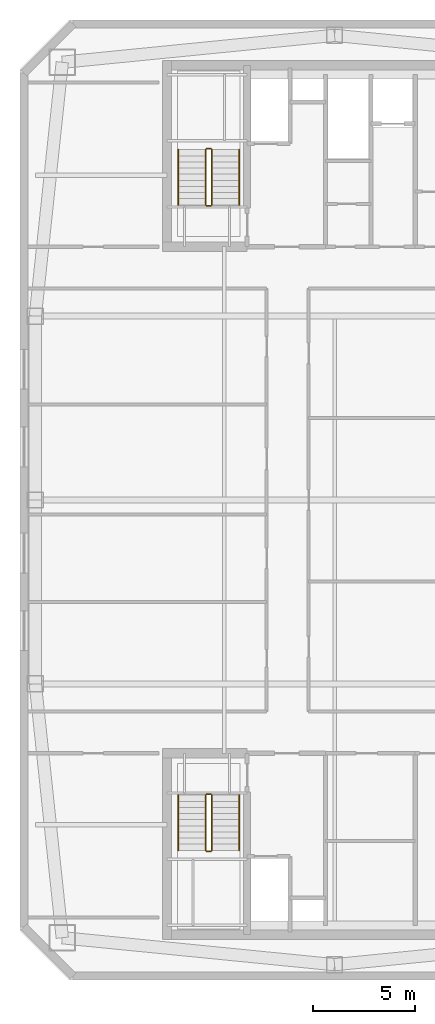
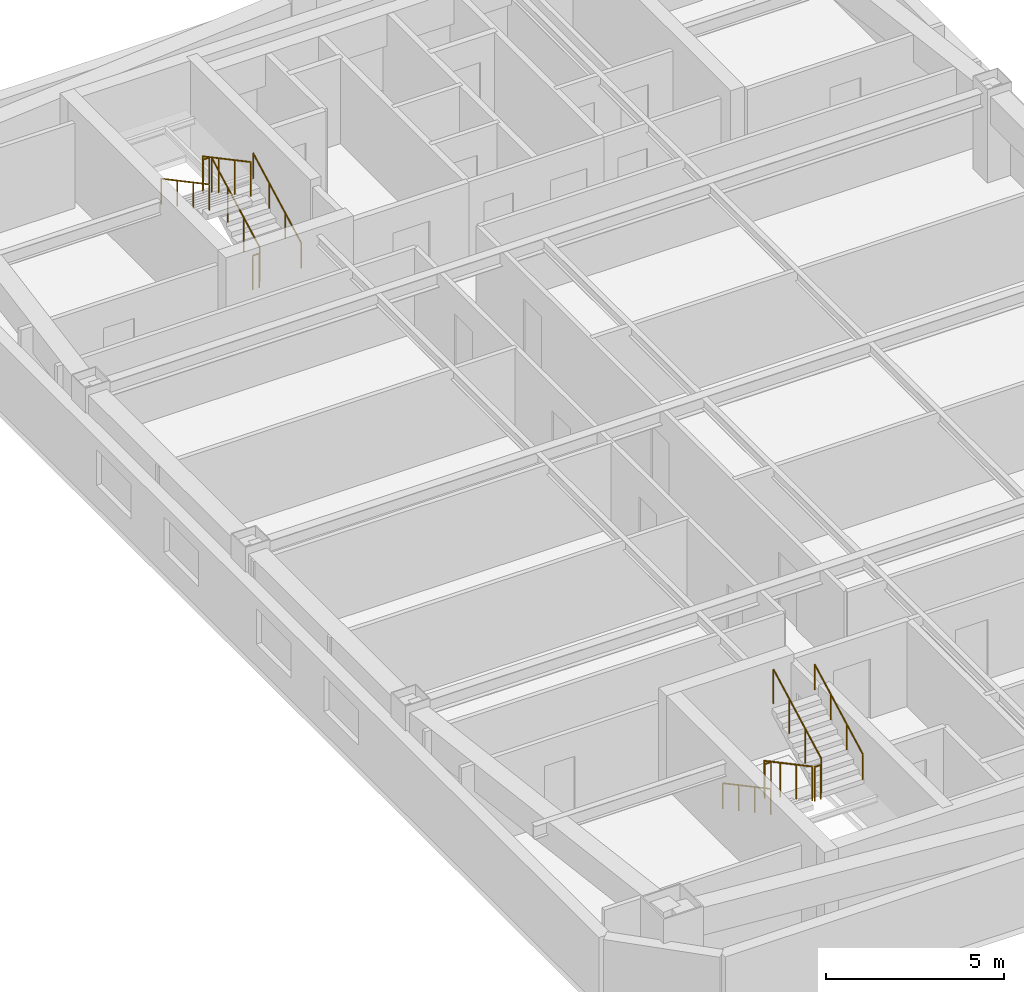
# One storey, part 5 of 5: 12 railings.
"""IFC4 building model written with IfcOpenShell, lengths in metres."""

from ifc_helpers import new_model, si_unit, direction, frame, origin, origin_2d, place, context, subcontext, project, spatial, circle, extrude, material, type_object, element, save


model = new_model("IFC4")

# Units and contexts
model_context = context("Model", 3, precision=1e-05, world=origin(), true_north=direction((0.0, 1.0)))
body_context = subcontext(model_context, "Body", "Model", "MODEL_VIEW")
ifc_project = project(units=[si_unit("LENGTHUNIT", "METRE"), si_unit("AREAUNIT", "SQUARE_METRE"), si_unit("VOLUMEUNIT", "CUBIC_METRE"), si_unit("PLANEANGLEUNIT", "RADIAN"), si_unit("MASSUNIT", "GRAM", prefix="KILO")], contexts=[model_context])

# Site, building, storey
site_placement = place(None, origin())
site = spatial("IfcSite", under=ifc_project, at=site_placement, CompositionType="ELEMENT")
building_placement = place(site_placement, origin())
building = spatial("IfcBuilding", under=site, at=building_placement, Name="Qiaolan Cultural Towers", CompositionType="ELEMENT")
storey_placement = place(building_placement, frame((0.0, 0.0, 272.800048828125)))
storey = spatial("IfcBuildingStorey", under=building, at=storey_placement, Name="L75", CompositionType="ELEMENT", Elevation=272.800048828125)

# Railings
ifc_material_1 = material(Name="Galvanized Painted Steel Stair Guardrail", Category="steel")
railing_type_1 = type_object("IfcRailingType", Name="RL-STAIR-GRD", PredefinedType="GUARDRAIL", material=ifc_material_1)
railing_1_placement = place(storey_placement, frame((23.68994140625, 19.550048828125, 0.159912109375)))
element("IfcRailing", 1, at=railing_1_placement, inside=storey, type_object=railing_type_1, Name="L75 ST-W1 stair guard 1", PredefinedType="GUARDRAIL", context=body_context, shape_type="SweptSolid", body=[
    extrude(circle(Radius=0.02392578125, at=origin_2d()), frame((0.0, 0.0, 1.17578125), z_axis=(0.0, -0.882357358376, 0.470579952952), x_axis=(1.0, 0.0, 0.0)), (0.0, 0.0, 1.0), 3.059814453125),
    extrude(circle(Radius=0.02099609375, at=origin_2d()), origin(), (0.0, 0.0, 1.0), 1.15185546875),
    extrude(circle(Radius=0.02099609375, at=origin_2d()), frame((0.0, -0.89990234375, 0.47998046875)), (0.0, 0.0, 1.0), 1.15185546875),
    extrude(circle(Radius=0.02099609375, at=origin_2d()), frame((0.0, -1.800048828125, 0.9599609375)), (0.0, 0.0, 1.0), 1.15185546875),
    extrude(circle(Radius=0.02099609375, at=origin_2d()), frame((0.0, -2.699951171875, 1.43994140625)), (0.0, 0.0, 1.0), 1.15185546875),
])
railing_2_placement = place(storey_placement, frame((23.739990234375, 16.800048828125, 1.599853515625)))
element("IfcRailing", 2, at=railing_2_placement, inside=storey, type_object=railing_type_1, Name="L75 ST-W1 stair guard 2", PredefinedType="GUARDRAIL", context=body_context, shape_type="SweptSolid", body=[
    extrude(circle(Radius=0.02392578125, at=origin_2d()), frame((0.0, 0.0, 1.17578125), z_axis=(1.0, 0.0, 0.0), x_axis=(0.0, 1.0, 0.0)), (0.0, 0.0, 1.0), 0.199951171875),
    extrude(circle(Radius=0.02099609375, at=origin_2d()), origin(), (0.0, 0.0, 1.0), 1.15185546875),
    extrude(circle(Radius=0.02099609375, at=origin_2d()), frame((0.199951171875, 0.0, 0.0)), (0.0, 0.0, 1.0), 1.15185546875),
])
railing_3_placement = place(storey_placement, frame((23.989990234375, 16.85009765625, 1.760009765625)))
element("IfcRailing", 3, at=railing_3_placement, inside=storey, type_object=railing_type_1, Name="L75 ST-W1 stair guard 3", PredefinedType="GUARDRAIL", context=body_context, shape_type="SweptSolid", body=[
    extrude(circle(Radius=0.02392578125, at=origin_2d()), frame((0.0, 0.0, 1.17578125), z_axis=(0.0, 0.882357358376, 0.470579952952), x_axis=(-1.0, 0.0, 0.0)), (0.0, 0.0, 1.0), 3.059814453125),
    extrude(circle(Radius=0.02099609375, at=origin_2d()), origin(), (0.0, 0.0, 1.0), 1.15185546875),
    extrude(circle(Radius=0.02099609375, at=origin_2d()), frame((0.0, 0.89990234375, 0.47998046875)), (0.0, 0.0, 1.0), 1.15185546875),
    extrude(circle(Radius=0.02099609375, at=origin_2d()), frame((0.0, 1.800048828125, 0.9599609375)), (0.0, 0.0, 1.0), 1.15185546875),
    extrude(circle(Radius=0.02099609375, at=origin_2d()), frame((0.0, 2.699951171875, 1.43994140625)), (0.0, 0.0, 1.0), 1.15185546875),
])
railing_4_placement = place(storey_placement, frame((23.739990234375, 19.60009765625, 0.0)))
element("IfcRailing", 4, at=railing_4_placement, inside=storey, type_object=railing_type_1, Name="L75 ST-W1 stair guard 4", PredefinedType="GUARDRAIL", context=body_context, shape_type="SweptSolid", body=[
    extrude(circle(Radius=0.02392578125, at=origin_2d()), frame((0.0, 0.0, 1.17578125), z_axis=(1.0, 0.0, 0.0), x_axis=(0.0, 1.0, 0.0)), (0.0, 0.0, 1.0), 0.199951171875),
    extrude(circle(Radius=0.02099609375, at=origin_2d()), origin(), (0.0, 0.0, 1.0), 1.15185546875),
    extrude(circle(Radius=0.02099609375, at=origin_2d()), frame((0.199951171875, 0.0, 0.0)), (0.0, 0.0, 1.0), 1.15185546875),
])
railing_5_placement = place(storey_placement, frame((23.989990234375, 48.449951171875, 0.159912109375)))
element("IfcRailing", 5, at=railing_5_placement, inside=storey, type_object=railing_type_1, Name="L75 ST-W2 stair guard 1", PredefinedType="GUARDRAIL", context=body_context, shape_type="SweptSolid", body=[
    extrude(circle(Radius=0.02392578125, at=origin_2d()), frame((0.0, 0.0, 1.17578125), z_axis=(0.0, 0.882357358376, 0.470579952952), x_axis=(-1.0, 0.0, 0.0)), (0.0, 0.0, 1.0), 3.059814453125),
    extrude(circle(Radius=0.02099609375, at=origin_2d()), origin(), (0.0, 0.0, 1.0), 1.15185546875),
    extrude(circle(Radius=0.02099609375, at=origin_2d()), frame((0.0, 0.89990234375, 0.47998046875)), (0.0, 0.0, 1.0), 1.15185546875),
    extrude(circle(Radius=0.02099609375, at=origin_2d()), frame((0.0, 1.800048828125, 0.9599609375)), (0.0, 0.0, 1.0), 1.15185546875),
    extrude(circle(Radius=0.02099609375, at=origin_2d()), frame((0.0, 2.699951171875, 1.43994140625)), (0.0, 0.0, 1.0), 1.15185546875),
])
railing_6_placement = place(storey_placement, frame((23.93994140625, 51.199951171875, 1.599853515625)))
element("IfcRailing", 6, at=railing_6_placement, inside=storey, type_object=railing_type_1, Name="L75 ST-W2 stair guard 2", PredefinedType="GUARDRAIL", context=body_context, shape_type="SweptSolid", body=[
    extrude(circle(Radius=0.02392578125, at=origin_2d()), frame((0.0, 0.0, 1.17578125), z_axis=(-1.0, 0.0, 0.0), x_axis=(0.0, -1.0, 0.0)), (0.0, 0.0, 1.0), 0.199951171875),
    extrude(circle(Radius=0.02099609375, at=origin_2d()), origin(), (0.0, 0.0, 1.0), 1.15185546875),
    extrude(circle(Radius=0.02099609375, at=origin_2d()), frame((-0.199951171875, 0.0, 0.0)), (0.0, 0.0, 1.0), 1.15185546875),
])
railing_7_placement = place(storey_placement, frame((23.68994140625, 51.14990234375, 1.760009765625)))
element("IfcRailing", 7, at=railing_7_placement, inside=storey, type_object=railing_type_1, Name="L75 ST-W2 stair guard 3", PredefinedType="GUARDRAIL", context=body_context, shape_type="SweptSolid", body=[
    extrude(circle(Radius=0.02392578125, at=origin_2d()), frame((0.0, 0.0, 1.17578125), z_axis=(0.0, -0.882357358376, 0.470579952952), x_axis=(1.0, 0.0, 0.0)), (0.0, 0.0, 1.0), 3.059814453125),
    extrude(circle(Radius=0.02099609375, at=origin_2d()), origin(), (0.0, 0.0, 1.0), 1.15185546875),
    extrude(circle(Radius=0.02099609375, at=origin_2d()), frame((0.0, -0.89990234375, 0.47998046875)), (0.0, 0.0, 1.0), 1.15185546875),
    extrude(circle(Radius=0.02099609375, at=origin_2d()), frame((0.0, -1.800048828125, 0.9599609375)), (0.0, 0.0, 1.0), 1.15185546875),
    extrude(circle(Radius=0.02099609375, at=origin_2d()), frame((0.0, -2.699951171875, 1.43994140625)), (0.0, 0.0, 1.0), 1.15185546875),
])
railing_8_placement = place(storey_placement, frame((23.93994140625, 48.39990234375, 0.0)))
element("IfcRailing", 8, at=railing_8_placement, inside=storey, type_object=railing_type_1, Name="L75 ST-W2 stair guard 4", PredefinedType="GUARDRAIL", context=body_context, shape_type="SweptSolid", body=[
    extrude(circle(Radius=0.02392578125, at=origin_2d()), frame((0.0, 0.0, 1.17578125), z_axis=(-1.0, 0.0, 0.0), x_axis=(0.0, -1.0, 0.0)), (0.0, 0.0, 1.0), 0.199951171875),
    extrude(circle(Radius=0.02099609375, at=origin_2d()), origin(), (0.0, 0.0, 1.0), 1.15185546875),
    extrude(circle(Radius=0.02099609375, at=origin_2d()), frame((-0.199951171875, 0.0, 0.0)), (0.0, 0.0, 1.0), 1.15185546875),
])
ifc_material_2 = material(Name="Stainless Steel S30408 Tubular Handrail", Category="steel")
railing_type_2 = type_object("IfcRailingType", Name="RL-STAIR-HR", PredefinedType="HANDRAIL", material=ifc_material_2)
railing_9_placement = place(storey_placement, frame((22.35009765625, 19.550048828125, 0.159912109375)))
element("IfcRailing", 9, at=railing_9_placement, inside=storey, type_object=railing_type_2, Name="L75 ST-W1 stair handrail 1", PredefinedType="HANDRAIL", context=body_context, shape_type="SweptSolid", body=[
    extrude(circle(Radius=0.02392578125, at=origin_2d()), frame((0.0, 0.0, 0.8759765625), z_axis=(0.0, -0.882357358376, 0.470579952952), x_axis=(1.0, 0.0, 0.0)), (0.0, 0.0, 1.0), 3.059814453125),
    extrude(circle(Radius=0.02099609375, at=origin_2d()), origin(), (0.0, 0.0, 1.0), 0.851806640625),
    extrude(circle(Radius=0.02099609375, at=origin_2d()), frame((0.0, -0.89990234375, 0.47998046875)), (0.0, 0.0, 1.0), 0.851806640625),
    extrude(circle(Radius=0.02099609375, at=origin_2d()), frame((0.0, -1.800048828125, 0.9599609375)), (0.0, 0.0, 1.0), 0.851806640625),
    extrude(circle(Radius=0.02099609375, at=origin_2d()), frame((0.0, -2.699951171875, 1.43994140625)), (0.0, 0.0, 1.0), 0.851806640625),
])
for number, where, name in (
    (10, (25.330078125, 16.85009765625, 1.760009765625), "L75 ST-W1 stair handrail 2"),
    (11, (25.330078125, 48.449951171875, 0.159912109375), "L75 ST-W2 stair handrail 1"),
):
    element("IfcRailing", number, at=place(storey_placement, frame(where)), inside=storey, type_object=railing_type_2, Name=name, PredefinedType="HANDRAIL", context=body_context, shape_type="SweptSolid", body=[
        extrude(circle(Radius=0.02392578125, at=origin_2d()), frame((0.0, 0.0, 0.8759765625), z_axis=(0.0, 0.882357358376, 0.470579952952), x_axis=(-1.0, 0.0, 0.0)), (0.0, 0.0, 1.0), 3.059814453125),
        extrude(circle(Radius=0.02099609375, at=origin_2d()), origin(), (0.0, 0.0, 1.0), 0.851806640625),
        extrude(circle(Radius=0.02099609375, at=origin_2d()), frame((0.0, 0.89990234375, 0.47998046875)), (0.0, 0.0, 1.0), 0.851806640625),
        extrude(circle(Radius=0.02099609375, at=origin_2d()), frame((0.0, 1.800048828125, 0.9599609375)), (0.0, 0.0, 1.0), 0.851806640625),
        extrude(circle(Radius=0.02099609375, at=origin_2d()), frame((0.0, 2.699951171875, 1.43994140625)), (0.0, 0.0, 1.0), 0.851806640625),
    ])
railing_10_placement = place(storey_placement, frame((22.35009765625, 51.14990234375, 1.760009765625)))
element("IfcRailing", 12, at=railing_10_placement, inside=storey, type_object=railing_type_2, Name="L75 ST-W2 stair handrail 2", PredefinedType="HANDRAIL", context=body_context, shape_type="SweptSolid", body=[
    extrude(circle(Radius=0.02392578125, at=origin_2d()), frame((0.0, 0.0, 0.8759765625), z_axis=(0.0, -0.882357358376, 0.470579952952), x_axis=(1.0, 0.0, 0.0)), (0.0, 0.0, 1.0), 3.059814453125),
    extrude(circle(Radius=0.02099609375, at=origin_2d()), origin(), (0.0, 0.0, 1.0), 0.851806640625),
    extrude(circle(Radius=0.02099609375, at=origin_2d()), frame((0.0, -0.89990234375, 0.47998046875)), (0.0, 0.0, 1.0), 0.851806640625),
    extrude(circle(Radius=0.02099609375, at=origin_2d()), frame((0.0, -1.800048828125, 0.9599609375)), (0.0, 0.0, 1.0), 0.851806640625),
    extrude(circle(Radius=0.02099609375, at=origin_2d()), frame((0.0, -2.699951171875, 1.43994140625)), (0.0, 0.0, 1.0), 0.851806640625),
])

save(model, "model.ifc")
